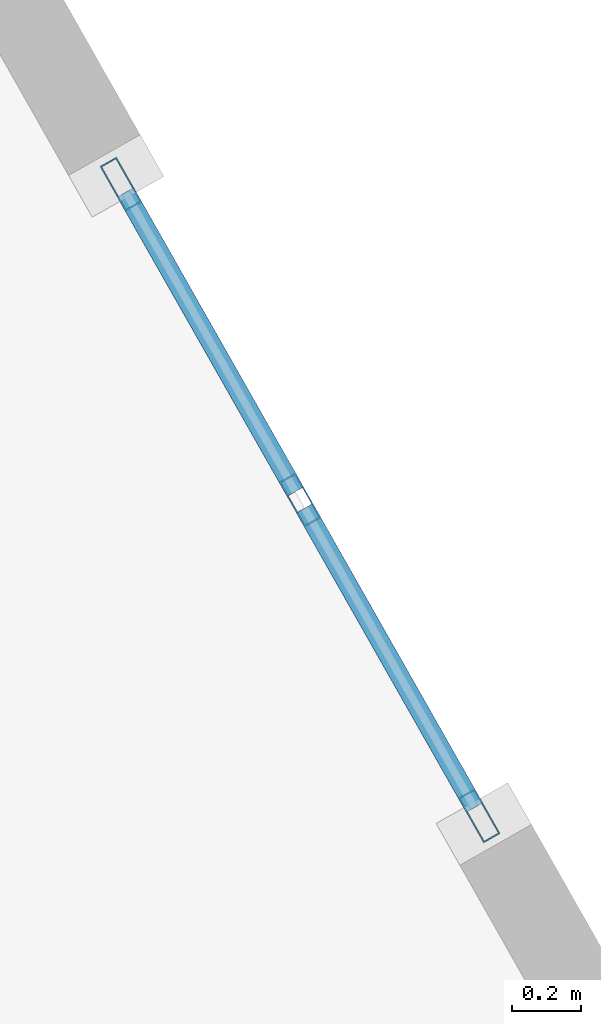
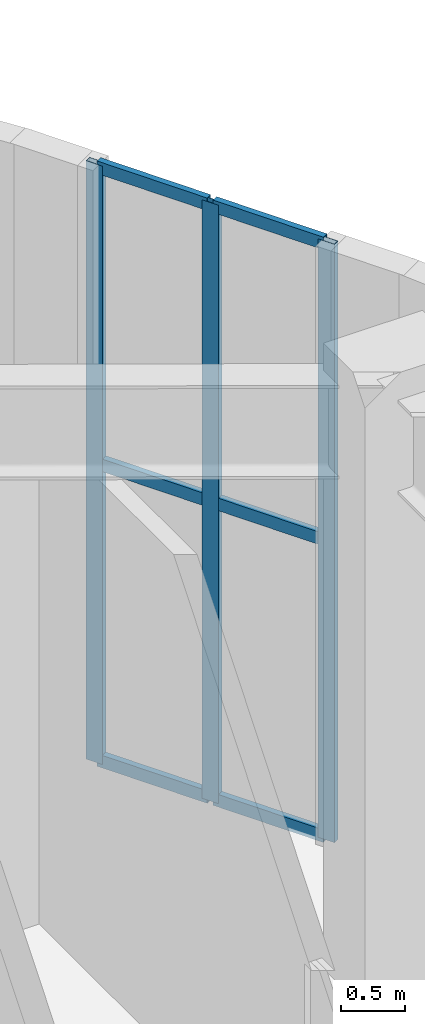
# One storey, part 6 of 10: 9 members, 1 element without a shape of its own.
"""IFC4 building model written with IfcOpenShell, lengths in metres."""

from ifc_helpers import new_model, si_unit, direction, frame, origin, origin_2d, place, context, subcontext, project, spatial, hollow_rectangle, extrude, material, layer, layer_set, material_profile, profile_set, type_object, element, aggregate, save


model = new_model("IFC4")

# Units and contexts
model_context = context("Model", 3, precision=1e-05, world=origin(), true_north=direction((0.0, 1.0)))
body_context = subcontext(model_context, "Body", "Model", "MODEL_VIEW")
ifc_project = project(units=[si_unit("LENGTHUNIT", "METRE"), si_unit("AREAUNIT", "SQUARE_METRE"), si_unit("VOLUMEUNIT", "CUBIC_METRE"), si_unit("PLANEANGLEUNIT", "RADIAN"), si_unit("MASSUNIT", "GRAM", prefix="KILO")], contexts=[model_context])

# Site, building, storey
site_placement = place(None, origin())
site = spatial("IfcSite", under=ifc_project, at=site_placement, CompositionType="ELEMENT")
building_placement = place(site_placement, origin())
building = spatial("IfcBuilding", under=site, at=building_placement, Name="Miruveldt Soraemaru", CompositionType="ELEMENT")
storey_placement = place(building_placement, frame((0.0, 0.0, 306.800048828125)))
storey = spatial("IfcBuildingStorey", under=building, at=storey_placement, Name="L81", CompositionType="ELEMENT", Elevation=306.800048828125)

# Curtain wall, members
ifc_material = material(Name="Anodised aluminium EN AW-6063 T6", Category="aluminium")
ifc_layer = layer(ifc_material, 0.14990234375, Name="Anodised aluminium EN AW-6063 T6", Category="aluminium")
ifc_layer_set = layer_set([ifc_layer], Name="Anodised aluminium EN AW-6063 T6")
curtain_wall_type = type_object("IfcCurtainWallType", Name="CW-SYS-6", PredefinedType="USERDEFINED", material=ifc_layer_set)
curtain_wall_placement = place(storey_placement, origin())
curtain_wall = element("IfcCurtainWall", 1, at=curtain_wall_placement, inside=storey, type_object=curtain_wall_type, Name="L81 Curtain Wall Bay 39", ObjectType="UNITISED GLAZING", PredefinedType="USERDEFINED")
ifc_material_profile_1 = material_profile(ifc_material, hollow_rectangle(XDim=0.054931640625, YDim=0.14990234375, WallThickness=0.00390625, at=origin_2d()), Name="Anodised aluminium EN AW-6063 T6", Category="aluminium")
ifc_profile_set_1 = profile_set([ifc_material_profile_1], Name="Anodised aluminium EN AW-6063 T6")
member_type_1 = type_object("IfcMemberType", Name="CWM-6", PredefinedType="MULLION", material=ifc_profile_set_1)
member_1_placement = place(storey_placement, frame((57.07373046875, 52.251708984375, 0.0), z_axis=(0.0, 0.0, 1.0), x_axis=(-0.869823225939, -0.493363512652, 0.0)))
member_1 = element("IfcMember", 2, at=member_1_placement, type_object=member_type_1, Name="CW-6 mullion 1", PredefinedType="MULLION", context=body_context, shape_type="SweptSolid", body=[
    extrude(hollow_rectangle(XDim=0.054931640625, YDim=0.14990234375, WallThickness=0.00390625, at=origin_2d()), origin(), (0.0, 0.0, 1.0), 5.739990234375),
])
member_2_placement = place(storey_placement, frame((56.5517578125, 53.172119140625, 0.0), z_axis=(0.0, 0.0, 1.0), x_axis=(-0.869823225939, -0.493363512652, 0.0)))
member_2 = element("IfcMember", 3, at=member_2_placement, type_object=member_type_1, Name="CW-6 mullion 2", PredefinedType="MULLION", context=body_context, shape_type="SweptSolid", body=[
    extrude(hollow_rectangle(XDim=0.054931640625, YDim=0.14990234375, WallThickness=0.00390625, at=origin_2d()), origin(), (0.0, 0.0, 1.0), 5.739990234375),
])
member_3_placement = place(storey_placement, frame((56.02978515625, 54.09228515625, 0.0), z_axis=(0.0, 0.0, 1.0), x_axis=(-0.869823225939, -0.493363512652, 0.0)))
member_3 = element("IfcMember", 4, at=member_3_placement, type_object=member_type_1, Name="CW-6 mullion 3", PredefinedType="MULLION", context=body_context, shape_type="SweptSolid", body=[
    extrude(hollow_rectangle(XDim=0.054931640625, YDim=0.14990234375, WallThickness=0.00390625, at=origin_2d()), origin(), (0.0, 0.0, 1.0), 5.739990234375),
])
ifc_material_profile_2 = material_profile(ifc_material, hollow_rectangle(XDim=0.054931640625, YDim=0.1201171875, WallThickness=0.00390625, at=origin_2d()), Name="Anodised aluminium EN AW-6063 T6", Category="aluminium")
ifc_profile_set_2 = profile_set([ifc_material_profile_2], Name="Anodised aluminium EN AW-6063 T6")
member_type_2 = type_object("IfcMemberType", Name="CWT-6", PredefinedType="USERDEFINED", material=ifc_profile_set_2)
member_4_placement = place(storey_placement, frame((57.06005859375, 52.275634765625, 0.02734375), z_axis=(-0.493331860273, 0.8698411784, 0.0), x_axis=(-0.8698411784, -0.493331860273, 0.0)))
member_4 = element("IfcMember", 5, at=member_4_placement, type_object=member_type_2, Name="CW-6 transom 1.1", ObjectType="TRANSOM", PredefinedType="USERDEFINED", context=body_context, shape_type="SweptSolid", body=[
    extrude(hollow_rectangle(XDim=0.054931640625, YDim=0.1201171875, WallThickness=0.00390625, at=origin_2d()), origin(), (0.0, 0.0, 1.0), 1.003173828125),
])
member_5_placement = place(storey_placement, frame((57.06005859375, 52.275634765625, 2.869873046875), z_axis=(-0.493331860273, 0.8698411784, 0.0), x_axis=(-0.8698411784, -0.493331860273, 0.0)))
member_5 = element("IfcMember", 6, at=member_5_placement, type_object=member_type_2, Name="CW-6 transom 1.2", ObjectType="TRANSOM", PredefinedType="USERDEFINED", context=body_context, shape_type="SweptSolid", body=[
    extrude(hollow_rectangle(XDim=0.054931640625, YDim=0.1201171875, WallThickness=0.00390625, at=origin_2d()), origin(), (0.0, 0.0, 1.0), 1.003173828125),
])
member_6_placement = place(storey_placement, frame((57.06005859375, 52.275634765625, 5.71240234375), z_axis=(-0.493331860273, 0.8698411784, 0.0), x_axis=(-0.8698411784, -0.493331860273, 0.0)))
member_6 = element("IfcMember", 7, at=member_6_placement, type_object=member_type_2, Name="CW-6 transom 1.3", ObjectType="TRANSOM", PredefinedType="USERDEFINED", context=body_context, shape_type="SweptSolid", body=[
    extrude(hollow_rectangle(XDim=0.054931640625, YDim=0.1201171875, WallThickness=0.00390625, at=origin_2d()), origin(), (0.0, 0.0, 1.0), 1.003173828125),
])
member_7_placement = place(storey_placement, frame((56.5380859375, 53.196044921875, 0.02734375), z_axis=(-0.493436318271, 0.869781926583, 0.0), x_axis=(-0.869781926583, -0.493436318271, 0.0)))
member_7 = element("IfcMember", 8, at=member_7_placement, type_object=member_type_2, Name="CW-6 transom 2.1", ObjectType="TRANSOM", PredefinedType="USERDEFINED", context=body_context, shape_type="SweptSolid", body=[
    extrude(hollow_rectangle(XDim=0.054931640625, YDim=0.1201171875, WallThickness=0.00390625, at=origin_2d()), origin(), (0.0, 0.0, 1.0), 1.0029296875),
])
member_8_placement = place(storey_placement, frame((56.5380859375, 53.196044921875, 2.869873046875), z_axis=(-0.493436318271, 0.869781926583, 0.0), x_axis=(-0.869781926583, -0.493436318271, 0.0)))
member_8 = element("IfcMember", 9, at=member_8_placement, type_object=member_type_2, Name="CW-6 transom 2.2", ObjectType="TRANSOM", PredefinedType="USERDEFINED", context=body_context, shape_type="SweptSolid", body=[
    extrude(hollow_rectangle(XDim=0.054931640625, YDim=0.1201171875, WallThickness=0.00390625, at=origin_2d()), origin(), (0.0, 0.0, 1.0), 1.0029296875),
])
member_9_placement = place(storey_placement, frame((56.5380859375, 53.196044921875, 5.71240234375), z_axis=(-0.493436318271, 0.869781926583, 0.0), x_axis=(-0.869781926583, -0.493436318271, 0.0)))
member_9 = element("IfcMember", 10, at=member_9_placement, type_object=member_type_2, Name="CW-6 transom 2.3", ObjectType="TRANSOM", PredefinedType="USERDEFINED", context=body_context, shape_type="SweptSolid", body=[
    extrude(hollow_rectangle(XDim=0.054931640625, YDim=0.1201171875, WallThickness=0.00390625, at=origin_2d()), origin(), (0.0, 0.0, 1.0), 1.0029296875),
])
aggregate(curtain_wall, [member_1, member_2, member_3, member_4, member_5, member_6, member_7, member_8, member_9])

save(model, "model.ifc")
